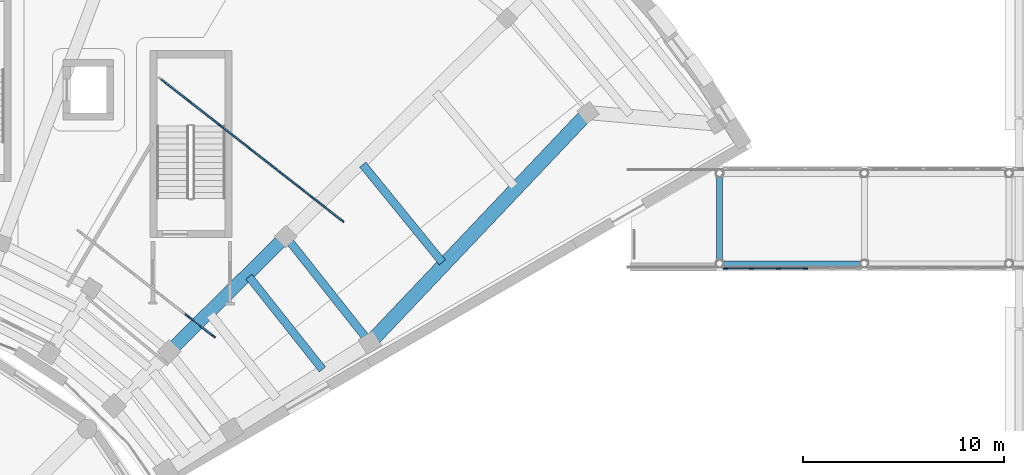
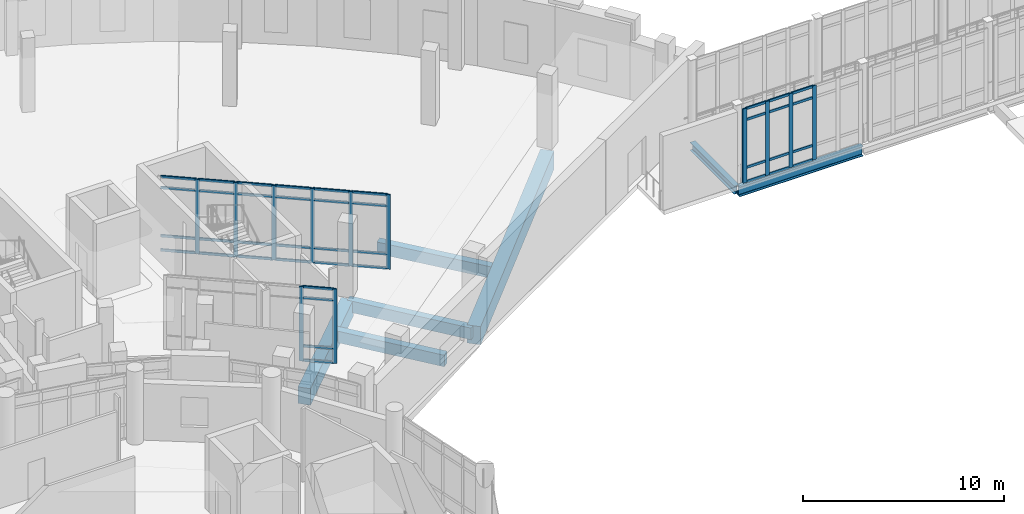
# One storey, part 25 of 75: 52 members, 7 beams, 3 elements without a shape of their own.
"""IFC4 building model written with IfcOpenShell, lengths in metres."""

from ifc_helpers import new_model, si_unit, direction, frame, origin, origin_2d, place, context, subcontext, project, spatial, rectangle, i_section, extrude, material, material_profile, profile_set, type_object, element, aggregate, save


model = new_model("IFC4")

# Units and contexts
model_context = context("Model", 3, precision=1e-05, world=origin(), true_north=direction((0.0, 1.0)))
body_context = subcontext(model_context, "Body", "Model", "MODEL_VIEW")
ifc_project = project(units=[si_unit("LENGTHUNIT", "METRE"), si_unit("AREAUNIT", "SQUARE_METRE"), si_unit("VOLUMEUNIT", "CUBIC_METRE"), si_unit("PLANEANGLEUNIT", "RADIAN"), si_unit("MASSUNIT", "GRAM", prefix="KILO")], contexts=[model_context])

# Site, building, storey
site_placement = place(None, origin())
site = spatial("IfcSite", under=ifc_project, at=site_placement, CompositionType="ELEMENT")
building_placement = place(site_placement, origin())
building = spatial("IfcBuilding", under=site, at=building_placement, Name="Soyqirgoq Riverine Aquarium", CompositionType="ELEMENT")
storey_placement = place(building_placement, frame((0.0, 0.0, 10.199951171875)))
storey = spatial("IfcBuildingStorey", under=building, at=storey_placement, Name="L03", CompositionType="ELEMENT", Elevation=10.199951171875)

# Beams
ifc_material_1 = material(Name="Concrete C40/50", Category="concrete")
ifc_material_profile_1 = material_profile(ifc_material_1, rectangle(XDim=0.39990234375, YDim=0.699951171875, at=origin_2d()), Name="RC 400x700")
ifc_profile_set_1 = profile_set([ifc_material_profile_1], Name="Concrete C40/50")
beam_type_1 = type_object("IfcBeamType", Name="Beam_RC_400x700", PredefinedType="BEAM", material=ifc_profile_set_1)
beam_1_placement = place(storey_placement, frame((80.038330078125, 72.30224609375, -0.64990234375), z_axis=(-0.621137956327, 0.783701243593, 0.0), x_axis=(-0.783701243593, -0.621137956327, 0.0)))
element("IfcBeam", 1, at=beam_1_placement, inside=storey, type_object=beam_type_1, Name="V5 L03 Secondary Floor Joist 0882", PredefinedType="BEAM", context=body_context, shape_type="SweptSolid", body=[
    extrude(rectangle(XDim=0.39990234375, YDim=0.699951171875, at=origin_2d()), origin(), (0.0, 0.0, 1.0), 5.878173828125),
])
beam_2_placement = place(storey_placement, frame((82.3701171875, 73.664794921875, -0.64990234375), z_axis=(-0.621132353324, 0.783705684332, 0.0), x_axis=(-0.783705684332, -0.621132353324, 0.0)))
element("IfcBeam", 2, at=beam_2_placement, inside=storey, type_object=beam_type_1, Name="V5 L03 Wedge Chord Beam 0883", PredefinedType="BEAM", context=body_context, shape_type="SweptSolid", body=[
    extrude(rectangle(XDim=0.39990234375, YDim=0.699951171875, at=origin_2d()), origin(), (0.0, 0.0, 1.0), 6.63916015625),
])
beam_3_placement = place(storey_placement, frame((86.00341796875, 77.626953125, -0.64990234375), z_axis=(-0.631614001709, 0.775283014676, 0.0), x_axis=(-0.775283014676, -0.631614001709, 0.0)))
element("IfcBeam", 3, at=beam_3_placement, inside=storey, type_object=beam_type_1, Name="V5 L03 Secondary Floor Joist 0884", PredefinedType="BEAM", context=body_context, shape_type="SweptSolid", body=[
    extrude(rectangle(XDim=0.39990234375, YDim=0.699951171875, at=origin_2d()), origin(), (0.0, 0.0, 1.0), 6.268798828125),
])

# Curtain wall, members
ifc_material_2 = material(Name="Laminated solar-control bridge curtain wall", Category="aluminium")
curtain_wall_type_1 = type_object("IfcCurtainWallType", Name="CW_Bridge_Concourse", PredefinedType="NOTDEFINED", material=ifc_material_2)
curtain_wall_1_placement = place(storey_placement, origin())
curtain_wall_1 = element("IfcCurtainWall", 4, at=curtain_wall_1_placement, inside=storey, type_object=curtain_wall_type_1, Name="BR-2 L03 Curtain Wall 141", PredefinedType="NOTDEFINED")
ifc_material_3 = material(Name="Anodised aluminium 6063-T6", Category="aluminium")
ifc_material_profile_2 = material_profile(ifc_material_3, rectangle(XDim=0.080078125, YDim=0.219970703125, at=origin_2d()), Name="ALU-M 80x220")
ifc_profile_set_2 = profile_set([ifc_material_profile_2], Name="Anodised aluminium 6063-T6")
member_type_1 = type_object("IfcMemberType", Name="CWMullion_80x220", PredefinedType="MULLION", material=ifc_profile_set_2)
member_1_placement = place(storey_placement, frame((100.080078125, 77.320068359375, 0.0), z_axis=(0.0, 0.0, 1.0), x_axis=(0.0, 1.0, 0.0)))
member_1 = element("IfcMember", 5, at=member_1_placement, type_object=member_type_1, Name="CW-06 mullion 1", PredefinedType="MULLION", context=body_context, shape_type="SweptSolid", body=[
    extrude(rectangle(XDim=0.080078125, YDim=0.219970703125, at=origin_2d()), origin(), (0.0, 0.0, 1.0), 4.5),
])
member_2_placement = place(storey_placement, frame((101.384033203125, 77.320068359375, 0.0), z_axis=(0.0, 0.0, 1.0), x_axis=(0.0, 1.0, 0.0)))
member_2 = element("IfcMember", 6, at=member_2_placement, type_object=member_type_1, Name="CW-06 mullion 2", PredefinedType="MULLION", context=body_context, shape_type="SweptSolid", body=[
    extrude(rectangle(XDim=0.080078125, YDim=0.219970703125, at=origin_2d()), origin(), (0.0, 0.0, 1.0), 4.5),
])
member_3_placement = place(storey_placement, frame((102.72802734375, 77.320068359375, 0.0), z_axis=(0.0, 0.0, 1.0), x_axis=(0.0, 1.0, 0.0)))
member_3 = element("IfcMember", 7, at=member_3_placement, type_object=member_type_1, Name="CW-06 mullion 3", PredefinedType="MULLION", context=body_context, shape_type="SweptSolid", body=[
    extrude(rectangle(XDim=0.080078125, YDim=0.219970703125, at=origin_2d()), origin(), (0.0, 0.0, 1.0), 4.5),
])
member_4_placement = place(storey_placement, frame((104.072021484375, 77.320068359375, 0.0), z_axis=(0.0, 0.0, 1.0), x_axis=(0.0, 1.0, 0.0)))
member_4 = element("IfcMember", 8, at=member_4_placement, type_object=member_type_1, Name="CW-06 mullion 4", PredefinedType="MULLION", context=body_context, shape_type="SweptSolid", body=[
    extrude(rectangle(XDim=0.080078125, YDim=0.219970703125, at=origin_2d()), origin(), (0.0, 0.0, 1.0), 4.5),
])

ifc_material_4 = material(Name="Cast polymethyl methacrylate PMMA Habitat Viewing Glazing", Category="glass")
curtain_wall_type_2 = type_object("IfcCurtainWallType", Name="CW_Interior_TankVitrine", PredefinedType="NOTDEFINED", material=ifc_material_4)
curtain_wall_2_placement = place(storey_placement, origin())
curtain_wall_2 = element("IfcCurtainWall", 9, at=curtain_wall_2_placement, inside=storey, type_object=curtain_wall_type_2, Name="V5 L03 Curtain Wall 161", PredefinedType="NOTDEFINED")
member_5_placement = place(storey_placement, frame((74.616943359375, 73.9482421875, 0.0), z_axis=(0.0, 0.0, 1.0), x_axis=(-0.615661060826, -0.788011077449, 0.0)))
member_5 = element("IfcMember", 10, at=member_5_placement, type_object=member_type_1, Name="CW-07 mullion 1", PredefinedType="MULLION", context=body_context, shape_type="SweptSolid", body=[
    extrude(rectangle(XDim=0.080078125, YDim=0.219970703125, at=origin_2d()), origin(), (0.0, 0.0, 1.0), 4.52001953125),
])
member_6_placement = place(storey_placement, frame((73.300537109375, 74.976806640625, 0.0), z_axis=(0.0, 0.0, 1.0), x_axis=(-0.615661060826, -0.788011077449, 0.0)))
member_6 = element("IfcMember", 11, at=member_6_placement, type_object=member_type_1, Name="CW-07 mullion 2", PredefinedType="MULLION", context=body_context, shape_type="SweptSolid", body=[
    extrude(rectangle(XDim=0.080078125, YDim=0.219970703125, at=origin_2d()), origin(), (0.0, 0.0, 1.0), 4.52001953125),
])

curtain_wall_3_placement = place(storey_placement, origin())
curtain_wall_3 = element("IfcCurtainWall", 12, at=curtain_wall_3_placement, inside=storey, type_object=curtain_wall_type_2, Name="V5 L03 Curtain Wall 162", PredefinedType="NOTDEFINED")
member_7_placement = place(storey_placement, frame((81.008056640625, 79.702880859375, 0.0), z_axis=(0.0, 0.0, 1.0), x_axis=(-0.615655141832, -0.788015701833, 0.0)))
member_7 = element("IfcMember", 13, at=member_7_placement, type_object=member_type_1, Name="CW-07 mullion 1", PredefinedType="MULLION", context=body_context, shape_type="SweptSolid", body=[
    extrude(rectangle(XDim=0.080078125, YDim=0.219970703125, at=origin_2d()), origin(), (0.0, 0.0, 1.0), 4.52001953125),
])
member_8_placement = place(storey_placement, frame((79.524169921875, 80.862060546875, 0.0), z_axis=(0.0, 0.0, 1.0), x_axis=(-0.615655141832, -0.788015701833, 0.0)))
member_8 = element("IfcMember", 14, at=member_8_placement, type_object=member_type_1, Name="CW-07 mullion 2", PredefinedType="MULLION", context=body_context, shape_type="SweptSolid", body=[
    extrude(rectangle(XDim=0.080078125, YDim=0.219970703125, at=origin_2d()), origin(), (0.0, 0.0, 1.0), 4.52001953125),
])
member_9_placement = place(storey_placement, frame((78.008544921875, 82.046142578125, 0.0), z_axis=(0.0, 0.0, 1.0), x_axis=(-0.615655141832, -0.788015701833, 0.0)))
member_9 = element("IfcMember", 15, at=member_9_placement, type_object=member_type_1, Name="CW-07 mullion 3", PredefinedType="MULLION", context=body_context, shape_type="SweptSolid", body=[
    extrude(rectangle(XDim=0.080078125, YDim=0.219970703125, at=origin_2d()), origin(), (0.0, 0.0, 1.0), 4.52001953125),
])
member_10_placement = place(storey_placement, frame((76.4931640625, 83.22998046875, 0.0), z_axis=(0.0, 0.0, 1.0), x_axis=(-0.615655141832, -0.788015701833, 0.0)))
member_10 = element("IfcMember", 16, at=member_10_placement, type_object=member_type_1, Name="CW-07 mullion 4", PredefinedType="MULLION", context=body_context, shape_type="SweptSolid", body=[
    extrude(rectangle(XDim=0.080078125, YDim=0.219970703125, at=origin_2d()), origin(), (0.0, 0.0, 1.0), 4.52001953125),
])
member_11_placement = place(storey_placement, frame((74.977783203125, 84.4140625, 0.0), z_axis=(0.0, 0.0, 1.0), x_axis=(-0.615655141832, -0.788015701833, 0.0)))
member_11 = element("IfcMember", 17, at=member_11_placement, type_object=member_type_1, Name="CW-07 mullion 5", PredefinedType="MULLION", context=body_context, shape_type="SweptSolid", body=[
    extrude(rectangle(XDim=0.080078125, YDim=0.219970703125, at=origin_2d()), origin(), (0.0, 0.0, 1.0), 4.52001953125),
])
member_12_placement = place(storey_placement, frame((73.46240234375, 85.59814453125, 0.0), z_axis=(0.0, 0.0, 1.0), x_axis=(-0.615655141832, -0.788015701833, 0.0)))
member_12 = element("IfcMember", 18, at=member_12_placement, type_object=member_type_1, Name="CW-07 mullion 6", PredefinedType="MULLION", context=body_context, shape_type="SweptSolid", body=[
    extrude(rectangle(XDim=0.080078125, YDim=0.219970703125, at=origin_2d()), origin(), (0.0, 0.0, 1.0), 4.52001953125),
])

# Member
ifc_material_5 = material(Name="Anodised aluminium 6063-T6", Category="aluminium")
ifc_material_profile_3 = material_profile(ifc_material_5, rectangle(XDim=0.074951171875, YDim=0.14990234375, at=origin_2d()), Name="ALU-T 75x150")
ifc_profile_set_3 = profile_set([ifc_material_profile_3], Name="Anodised aluminium 6063-T6")
member_type_2 = type_object("IfcMemberType", Name="CWTransom_75x150", PredefinedType="USERDEFINED", material=ifc_profile_set_3)
member_13_placement = place(storey_placement, frame((100.1201171875, 77.320068359375, 0.03759765625), z_axis=(1.0, 0.0, 0.0), x_axis=(0.0, 1.0, 0.0)))
member_13 = element("IfcMember", 19, at=member_13_placement, type_object=member_type_2, Name="CW-06 transom 1.1", ObjectType="TRANSOM", PredefinedType="USERDEFINED", context=body_context, shape_type="SweptSolid", body=[
    extrude(rectangle(XDim=0.074951171875, YDim=0.14990234375, at=origin_2d()), origin(), (0.0, 0.0, 1.0), 1.223876953125),
])

member_14_placement = place(storey_placement, frame((100.1201171875, 77.320068359375, 0.900146484375), z_axis=(1.0, 0.0, 0.0), x_axis=(0.0, 1.0, 0.0)))
member_14 = element("IfcMember", 20, at=member_14_placement, type_object=member_type_2, Name="CW-06 transom 1.2", ObjectType="TRANSOM", PredefinedType="USERDEFINED", context=body_context, shape_type="SweptSolid", body=[
    extrude(rectangle(XDim=0.074951171875, YDim=0.14990234375, at=origin_2d()), origin(), (0.0, 0.0, 1.0), 1.223876953125),
])

member_15_placement = place(storey_placement, frame((100.1201171875, 77.320068359375, 3.800048828125), z_axis=(1.0, 0.0, 0.0), x_axis=(0.0, 1.0, 0.0)))
member_15 = element("IfcMember", 21, at=member_15_placement, type_object=member_type_2, Name="CW-06 transom 1.3", ObjectType="TRANSOM", PredefinedType="USERDEFINED", context=body_context, shape_type="SweptSolid", body=[
    extrude(rectangle(XDim=0.074951171875, YDim=0.14990234375, at=origin_2d()), origin(), (0.0, 0.0, 1.0), 1.223876953125),
])

member_16_placement = place(storey_placement, frame((100.1201171875, 77.320068359375, 4.462646484375), z_axis=(1.0, 0.0, 0.0), x_axis=(0.0, 1.0, 0.0)))
member_16 = element("IfcMember", 22, at=member_16_placement, type_object=member_type_2, Name="CW-06 transom 1.4", ObjectType="TRANSOM", PredefinedType="USERDEFINED", context=body_context, shape_type="SweptSolid", body=[
    extrude(rectangle(XDim=0.074951171875, YDim=0.14990234375, at=origin_2d()), origin(), (0.0, 0.0, 1.0), 1.223876953125),
])

member_17_placement = place(storey_placement, frame((101.424072265625, 77.320068359375, 0.03759765625), z_axis=(1.0, 0.0, 0.0), x_axis=(0.0, 1.0, 0.0)))
member_17 = element("IfcMember", 23, at=member_17_placement, type_object=member_type_2, Name="CW-06 transom 2.1", ObjectType="TRANSOM", PredefinedType="USERDEFINED", context=body_context, shape_type="SweptSolid", body=[
    extrude(rectangle(XDim=0.074951171875, YDim=0.14990234375, at=origin_2d()), origin(), (0.0, 0.0, 1.0), 1.263916015625),
])

member_18_placement = place(storey_placement, frame((101.424072265625, 77.320068359375, 0.900146484375), z_axis=(1.0, 0.0, 0.0), x_axis=(0.0, 1.0, 0.0)))
member_18 = element("IfcMember", 24, at=member_18_placement, type_object=member_type_2, Name="CW-06 transom 2.2", ObjectType="TRANSOM", PredefinedType="USERDEFINED", context=body_context, shape_type="SweptSolid", body=[
    extrude(rectangle(XDim=0.074951171875, YDim=0.14990234375, at=origin_2d()), origin(), (0.0, 0.0, 1.0), 1.263916015625),
])

member_19_placement = place(storey_placement, frame((101.424072265625, 77.320068359375, 3.800048828125), z_axis=(1.0, 0.0, 0.0), x_axis=(0.0, 1.0, 0.0)))
member_19 = element("IfcMember", 25, at=member_19_placement, type_object=member_type_2, Name="CW-06 transom 2.3", ObjectType="TRANSOM", PredefinedType="USERDEFINED", context=body_context, shape_type="SweptSolid", body=[
    extrude(rectangle(XDim=0.074951171875, YDim=0.14990234375, at=origin_2d()), origin(), (0.0, 0.0, 1.0), 1.263916015625),
])

member_20_placement = place(storey_placement, frame((101.424072265625, 77.320068359375, 4.462646484375), z_axis=(1.0, 0.0, 0.0), x_axis=(0.0, 1.0, 0.0)))
member_20 = element("IfcMember", 26, at=member_20_placement, type_object=member_type_2, Name="CW-06 transom 2.4", ObjectType="TRANSOM", PredefinedType="USERDEFINED", context=body_context, shape_type="SweptSolid", body=[
    extrude(rectangle(XDim=0.074951171875, YDim=0.14990234375, at=origin_2d()), origin(), (0.0, 0.0, 1.0), 1.263916015625),
])

member_21_placement = place(storey_placement, frame((102.76806640625, 77.320068359375, 0.03759765625), z_axis=(1.0, 0.0, 0.0), x_axis=(0.0, 1.0, 0.0)))
member_21 = element("IfcMember", 27, at=member_21_placement, type_object=member_type_2, Name="CW-06 transom 3.1", ObjectType="TRANSOM", PredefinedType="USERDEFINED", context=body_context, shape_type="SweptSolid", body=[
    extrude(rectangle(XDim=0.074951171875, YDim=0.14990234375, at=origin_2d()), origin(), (0.0, 0.0, 1.0), 1.263916015625),
])

member_22_placement = place(storey_placement, frame((102.76806640625, 77.320068359375, 0.900146484375), z_axis=(1.0, 0.0, 0.0), x_axis=(0.0, 1.0, 0.0)))
member_22 = element("IfcMember", 28, at=member_22_placement, type_object=member_type_2, Name="CW-06 transom 3.2", ObjectType="TRANSOM", PredefinedType="USERDEFINED", context=body_context, shape_type="SweptSolid", body=[
    extrude(rectangle(XDim=0.074951171875, YDim=0.14990234375, at=origin_2d()), origin(), (0.0, 0.0, 1.0), 1.263916015625),
])

member_23_placement = place(storey_placement, frame((102.76806640625, 77.320068359375, 3.800048828125), z_axis=(1.0, 0.0, 0.0), x_axis=(0.0, 1.0, 0.0)))
member_23 = element("IfcMember", 29, at=member_23_placement, type_object=member_type_2, Name="CW-06 transom 3.3", ObjectType="TRANSOM", PredefinedType="USERDEFINED", context=body_context, shape_type="SweptSolid", body=[
    extrude(rectangle(XDim=0.074951171875, YDim=0.14990234375, at=origin_2d()), origin(), (0.0, 0.0, 1.0), 1.263916015625),
])

member_24_placement = place(storey_placement, frame((102.76806640625, 77.320068359375, 4.462646484375), z_axis=(1.0, 0.0, 0.0), x_axis=(0.0, 1.0, 0.0)))
member_24 = element("IfcMember", 30, at=member_24_placement, type_object=member_type_2, Name="CW-06 transom 3.4", ObjectType="TRANSOM", PredefinedType="USERDEFINED", context=body_context, shape_type="SweptSolid", body=[
    extrude(rectangle(XDim=0.074951171875, YDim=0.14990234375, at=origin_2d()), origin(), (0.0, 0.0, 1.0), 1.263916015625),
])

aggregate(curtain_wall_1, [member_1, member_2, member_3, member_4, member_13, member_14, member_15, member_16, member_17, member_18, member_19, member_20, member_21, member_22, member_23, member_24])

member_25_placement = place(storey_placement, frame((74.58544921875, 73.972900390625, 0.03759765625), z_axis=(-0.788019719657, 0.615649999132, 0.0), x_axis=(-0.615649999132, -0.788019719657, 0.0)))
member_25 = element("IfcMember", 31, at=member_25_placement, type_object=member_type_2, Name="CW-07 transom 1.1", ObjectType="TRANSOM", PredefinedType="USERDEFINED", context=body_context, shape_type="SweptSolid", body=[
    extrude(rectangle(XDim=0.074951171875, YDim=0.14990234375, at=origin_2d()), origin(), (0.0, 0.0, 1.0), 1.590576171875),
])

member_26_placement = place(storey_placement, frame((74.58544921875, 73.972900390625, 0.900146484375), z_axis=(-0.788019719657, 0.615649999132, 0.0), x_axis=(-0.615649999132, -0.788019719657, 0.0)))
member_26 = element("IfcMember", 32, at=member_26_placement, type_object=member_type_2, Name="CW-07 transom 1.2", ObjectType="TRANSOM", PredefinedType="USERDEFINED", context=body_context, shape_type="SweptSolid", body=[
    extrude(rectangle(XDim=0.074951171875, YDim=0.14990234375, at=origin_2d()), origin(), (0.0, 0.0, 1.0), 1.590576171875),
])

member_27_placement = place(storey_placement, frame((74.58544921875, 73.972900390625, 3.820068359375), z_axis=(-0.788019719657, 0.615649999132, 0.0), x_axis=(-0.615649999132, -0.788019719657, 0.0)))
member_27 = element("IfcMember", 33, at=member_27_placement, type_object=member_type_2, Name="CW-07 transom 1.3", ObjectType="TRANSOM", PredefinedType="USERDEFINED", context=body_context, shape_type="SweptSolid", body=[
    extrude(rectangle(XDim=0.074951171875, YDim=0.14990234375, at=origin_2d()), origin(), (0.0, 0.0, 1.0), 1.590576171875),
])

member_28_placement = place(storey_placement, frame((74.58544921875, 73.972900390625, 4.482666015625), z_axis=(-0.788019719657, 0.615649999132, 0.0), x_axis=(-0.615649999132, -0.788019719657, 0.0)))
member_28 = element("IfcMember", 34, at=member_28_placement, type_object=member_type_2, Name="CW-07 transom 1.4", ObjectType="TRANSOM", PredefinedType="USERDEFINED", context=body_context, shape_type="SweptSolid", body=[
    extrude(rectangle(XDim=0.074951171875, YDim=0.14990234375, at=origin_2d()), origin(), (0.0, 0.0, 1.0), 1.590576171875),
])

aggregate(curtain_wall_2, [member_5, member_6, member_25, member_26, member_27, member_28])

member_29_placement = place(storey_placement, frame((80.9765625, 79.7275390625, 0.03759765625), z_axis=(-0.788016162741, 0.615654551887, 0.0), x_axis=(-0.615654551887, -0.788016162741, 0.0)))
member_29 = element("IfcMember", 35, at=member_29_placement, type_object=member_type_2, Name="CW-07 transom 1.1", ObjectType="TRANSOM", PredefinedType="USERDEFINED", context=body_context, shape_type="SweptSolid", body=[
    extrude(rectangle(XDim=0.074951171875, YDim=0.14990234375, at=origin_2d()), origin(), (0.0, 0.0, 1.0), 1.80322265625),
])

member_30_placement = place(storey_placement, frame((80.9765625, 79.7275390625, 0.900146484375), z_axis=(-0.788016162741, 0.615654551887, 0.0), x_axis=(-0.615654551887, -0.788016162741, 0.0)))
member_30 = element("IfcMember", 36, at=member_30_placement, type_object=member_type_2, Name="CW-07 transom 1.2", ObjectType="TRANSOM", PredefinedType="USERDEFINED", context=body_context, shape_type="SweptSolid", body=[
    extrude(rectangle(XDim=0.074951171875, YDim=0.14990234375, at=origin_2d()), origin(), (0.0, 0.0, 1.0), 1.80322265625),
])

member_31_placement = place(storey_placement, frame((80.9765625, 79.7275390625, 3.820068359375), z_axis=(-0.788016162741, 0.615654551887, 0.0), x_axis=(-0.615654551887, -0.788016162741, 0.0)))
member_31 = element("IfcMember", 37, at=member_31_placement, type_object=member_type_2, Name="CW-07 transom 1.3", ObjectType="TRANSOM", PredefinedType="USERDEFINED", context=body_context, shape_type="SweptSolid", body=[
    extrude(rectangle(XDim=0.074951171875, YDim=0.14990234375, at=origin_2d()), origin(), (0.0, 0.0, 1.0), 1.80322265625),
])

member_32_placement = place(storey_placement, frame((80.9765625, 79.7275390625, 4.482666015625), z_axis=(-0.788016162741, 0.615654551887, 0.0), x_axis=(-0.615654551887, -0.788016162741, 0.0)))
member_32 = element("IfcMember", 38, at=member_32_placement, type_object=member_type_2, Name="CW-07 transom 1.4", ObjectType="TRANSOM", PredefinedType="USERDEFINED", context=body_context, shape_type="SweptSolid", body=[
    extrude(rectangle(XDim=0.074951171875, YDim=0.14990234375, at=origin_2d()), origin(), (0.0, 0.0, 1.0), 1.80322265625),
])

member_33_placement = place(storey_placement, frame((79.492431640625, 80.88671875, 0.03759765625), z_axis=(-0.788002283226, 0.615672316765, 0.0), x_axis=(-0.615672316765, -0.788002283226, 0.0)))
member_33 = element("IfcMember", 39, at=member_33_placement, type_object=member_type_2, Name="CW-07 transom 2.1", ObjectType="TRANSOM", PredefinedType="USERDEFINED", context=body_context, shape_type="SweptSolid", body=[
    extrude(rectangle(XDim=0.074951171875, YDim=0.14990234375, at=origin_2d()), origin(), (0.0, 0.0, 1.0), 1.843017578125),
])

member_34_placement = place(storey_placement, frame((79.492431640625, 80.88671875, 0.900146484375), z_axis=(-0.788002283226, 0.615672316765, 0.0), x_axis=(-0.615672316765, -0.788002283226, 0.0)))
member_34 = element("IfcMember", 40, at=member_34_placement, type_object=member_type_2, Name="CW-07 transom 2.2", ObjectType="TRANSOM", PredefinedType="USERDEFINED", context=body_context, shape_type="SweptSolid", body=[
    extrude(rectangle(XDim=0.074951171875, YDim=0.14990234375, at=origin_2d()), origin(), (0.0, 0.0, 1.0), 1.843017578125),
])

member_35_placement = place(storey_placement, frame((79.492431640625, 80.88671875, 3.820068359375), z_axis=(-0.788002283226, 0.615672316765, 0.0), x_axis=(-0.615672316765, -0.788002283226, 0.0)))
member_35 = element("IfcMember", 41, at=member_35_placement, type_object=member_type_2, Name="CW-07 transom 2.3", ObjectType="TRANSOM", PredefinedType="USERDEFINED", context=body_context, shape_type="SweptSolid", body=[
    extrude(rectangle(XDim=0.074951171875, YDim=0.14990234375, at=origin_2d()), origin(), (0.0, 0.0, 1.0), 1.843017578125),
])

member_36_placement = place(storey_placement, frame((79.492431640625, 80.88671875, 4.482666015625), z_axis=(-0.788002283226, 0.615672316765, 0.0), x_axis=(-0.615672316765, -0.788002283226, 0.0)))
member_36 = element("IfcMember", 42, at=member_36_placement, type_object=member_type_2, Name="CW-07 transom 2.4", ObjectType="TRANSOM", PredefinedType="USERDEFINED", context=body_context, shape_type="SweptSolid", body=[
    extrude(rectangle(XDim=0.074951171875, YDim=0.14990234375, at=origin_2d()), origin(), (0.0, 0.0, 1.0), 1.843017578125),
])

member_37_placement = place(storey_placement, frame((77.97705078125, 82.07080078125, 0.03759765625), z_axis=(-0.788002283226, 0.615672316765, 0.0), x_axis=(-0.615672316765, -0.788002283226, 0.0)))
member_37 = element("IfcMember", 43, at=member_37_placement, type_object=member_type_2, Name="CW-07 transom 3.1", ObjectType="TRANSOM", PredefinedType="USERDEFINED", context=body_context, shape_type="SweptSolid", body=[
    extrude(rectangle(XDim=0.074951171875, YDim=0.14990234375, at=origin_2d()), origin(), (0.0, 0.0, 1.0), 1.843017578125),
])

member_38_placement = place(storey_placement, frame((77.97705078125, 82.07080078125, 0.900146484375), z_axis=(-0.788002283226, 0.615672316765, 0.0), x_axis=(-0.615672316765, -0.788002283226, 0.0)))
member_38 = element("IfcMember", 44, at=member_38_placement, type_object=member_type_2, Name="CW-07 transom 3.2", ObjectType="TRANSOM", PredefinedType="USERDEFINED", context=body_context, shape_type="SweptSolid", body=[
    extrude(rectangle(XDim=0.074951171875, YDim=0.14990234375, at=origin_2d()), origin(), (0.0, 0.0, 1.0), 1.843017578125),
])

member_39_placement = place(storey_placement, frame((77.97705078125, 82.07080078125, 3.820068359375), z_axis=(-0.788002283226, 0.615672316765, 0.0), x_axis=(-0.615672316765, -0.788002283226, 0.0)))
member_39 = element("IfcMember", 45, at=member_39_placement, type_object=member_type_2, Name="CW-07 transom 3.3", ObjectType="TRANSOM", PredefinedType="USERDEFINED", context=body_context, shape_type="SweptSolid", body=[
    extrude(rectangle(XDim=0.074951171875, YDim=0.14990234375, at=origin_2d()), origin(), (0.0, 0.0, 1.0), 1.843017578125),
])

member_40_placement = place(storey_placement, frame((77.97705078125, 82.07080078125, 4.482666015625), z_axis=(-0.788002283226, 0.615672316765, 0.0), x_axis=(-0.615672316765, -0.788002283226, 0.0)))
member_40 = element("IfcMember", 46, at=member_40_placement, type_object=member_type_2, Name="CW-07 transom 3.4", ObjectType="TRANSOM", PredefinedType="USERDEFINED", context=body_context, shape_type="SweptSolid", body=[
    extrude(rectangle(XDim=0.074951171875, YDim=0.14990234375, at=origin_2d()), origin(), (0.0, 0.0, 1.0), 1.843017578125),
])

member_41_placement = place(storey_placement, frame((76.461669921875, 83.254638671875, 0.03759765625), z_axis=(-0.788002283226, 0.615672316765, 0.0), x_axis=(-0.615672316765, -0.788002283226, 0.0)))
member_41 = element("IfcMember", 47, at=member_41_placement, type_object=member_type_2, Name="CW-07 transom 4.1", ObjectType="TRANSOM", PredefinedType="USERDEFINED", context=body_context, shape_type="SweptSolid", body=[
    extrude(rectangle(XDim=0.074951171875, YDim=0.14990234375, at=origin_2d()), origin(), (0.0, 0.0, 1.0), 1.843017578125),
])

member_42_placement = place(storey_placement, frame((76.461669921875, 83.254638671875, 0.900146484375), z_axis=(-0.788002283226, 0.615672316765, 0.0), x_axis=(-0.615672316765, -0.788002283226, 0.0)))
member_42 = element("IfcMember", 48, at=member_42_placement, type_object=member_type_2, Name="CW-07 transom 4.2", ObjectType="TRANSOM", PredefinedType="USERDEFINED", context=body_context, shape_type="SweptSolid", body=[
    extrude(rectangle(XDim=0.074951171875, YDim=0.14990234375, at=origin_2d()), origin(), (0.0, 0.0, 1.0), 1.843017578125),
])

member_43_placement = place(storey_placement, frame((76.461669921875, 83.254638671875, 3.820068359375), z_axis=(-0.788002283226, 0.615672316765, 0.0), x_axis=(-0.615672316765, -0.788002283226, 0.0)))
member_43 = element("IfcMember", 49, at=member_43_placement, type_object=member_type_2, Name="CW-07 transom 4.3", ObjectType="TRANSOM", PredefinedType="USERDEFINED", context=body_context, shape_type="SweptSolid", body=[
    extrude(rectangle(XDim=0.074951171875, YDim=0.14990234375, at=origin_2d()), origin(), (0.0, 0.0, 1.0), 1.843017578125),
])

member_44_placement = place(storey_placement, frame((76.461669921875, 83.254638671875, 4.482666015625), z_axis=(-0.788002283226, 0.615672316765, 0.0), x_axis=(-0.615672316765, -0.788002283226, 0.0)))
member_44 = element("IfcMember", 50, at=member_44_placement, type_object=member_type_2, Name="CW-07 transom 4.4", ObjectType="TRANSOM", PredefinedType="USERDEFINED", context=body_context, shape_type="SweptSolid", body=[
    extrude(rectangle(XDim=0.074951171875, YDim=0.14990234375, at=origin_2d()), origin(), (0.0, 0.0, 1.0), 1.843017578125),
])

member_45_placement = place(storey_placement, frame((74.9462890625, 84.438720703125, 0.03759765625), z_axis=(-0.788002283226, 0.615672316765, 0.0), x_axis=(-0.615672316765, -0.788002283226, 0.0)))
member_45 = element("IfcMember", 51, at=member_45_placement, type_object=member_type_2, Name="CW-07 transom 5.1", ObjectType="TRANSOM", PredefinedType="USERDEFINED", context=body_context, shape_type="SweptSolid", body=[
    extrude(rectangle(XDim=0.074951171875, YDim=0.14990234375, at=origin_2d()), origin(), (0.0, 0.0, 1.0), 1.843017578125),
])

member_46_placement = place(storey_placement, frame((74.9462890625, 84.438720703125, 0.900146484375), z_axis=(-0.788002283226, 0.615672316765, 0.0), x_axis=(-0.615672316765, -0.788002283226, 0.0)))
member_46 = element("IfcMember", 52, at=member_46_placement, type_object=member_type_2, Name="CW-07 transom 5.2", ObjectType="TRANSOM", PredefinedType="USERDEFINED", context=body_context, shape_type="SweptSolid", body=[
    extrude(rectangle(XDim=0.074951171875, YDim=0.14990234375, at=origin_2d()), origin(), (0.0, 0.0, 1.0), 1.843017578125),
])

member_47_placement = place(storey_placement, frame((74.9462890625, 84.438720703125, 3.820068359375), z_axis=(-0.788002283226, 0.615672316765, 0.0), x_axis=(-0.615672316765, -0.788002283226, 0.0)))
member_47 = element("IfcMember", 53, at=member_47_placement, type_object=member_type_2, Name="CW-07 transom 5.3", ObjectType="TRANSOM", PredefinedType="USERDEFINED", context=body_context, shape_type="SweptSolid", body=[
    extrude(rectangle(XDim=0.074951171875, YDim=0.14990234375, at=origin_2d()), origin(), (0.0, 0.0, 1.0), 1.843017578125),
])

member_48_placement = place(storey_placement, frame((74.9462890625, 84.438720703125, 4.482666015625), z_axis=(-0.788002283226, 0.615672316765, 0.0), x_axis=(-0.615672316765, -0.788002283226, 0.0)))
member_48 = element("IfcMember", 54, at=member_48_placement, type_object=member_type_2, Name="CW-07 transom 5.4", ObjectType="TRANSOM", PredefinedType="USERDEFINED", context=body_context, shape_type="SweptSolid", body=[
    extrude(rectangle(XDim=0.074951171875, YDim=0.14990234375, at=origin_2d()), origin(), (0.0, 0.0, 1.0), 1.843017578125),
])

member_49_placement = place(storey_placement, frame((73.430908203125, 85.62255859375, 0.03759765625), z_axis=(-0.788016162741, 0.615654551887, 0.0), x_axis=(-0.615654551887, -0.788016162741, 0.0)))
member_49 = element("IfcMember", 55, at=member_49_placement, type_object=member_type_2, Name="CW-07 transom 6.1", ObjectType="TRANSOM", PredefinedType="USERDEFINED", context=body_context, shape_type="SweptSolid", body=[
    extrude(rectangle(XDim=0.074951171875, YDim=0.14990234375, at=origin_2d()), origin(), (0.0, 0.0, 1.0), 1.80322265625),
])

member_50_placement = place(storey_placement, frame((73.430908203125, 85.62255859375, 0.900146484375), z_axis=(-0.788016162741, 0.615654551887, 0.0), x_axis=(-0.615654551887, -0.788016162741, 0.0)))
member_50 = element("IfcMember", 56, at=member_50_placement, type_object=member_type_2, Name="CW-07 transom 6.2", ObjectType="TRANSOM", PredefinedType="USERDEFINED", context=body_context, shape_type="SweptSolid", body=[
    extrude(rectangle(XDim=0.074951171875, YDim=0.14990234375, at=origin_2d()), origin(), (0.0, 0.0, 1.0), 1.80322265625),
])

member_51_placement = place(storey_placement, frame((73.430908203125, 85.62255859375, 3.820068359375), z_axis=(-0.788016162741, 0.615654551887, 0.0), x_axis=(-0.615654551887, -0.788016162741, 0.0)))
member_51 = element("IfcMember", 57, at=member_51_placement, type_object=member_type_2, Name="CW-07 transom 6.3", ObjectType="TRANSOM", PredefinedType="USERDEFINED", context=body_context, shape_type="SweptSolid", body=[
    extrude(rectangle(XDim=0.074951171875, YDim=0.14990234375, at=origin_2d()), origin(), (0.0, 0.0, 1.0), 1.80322265625),
])

member_52_placement = place(storey_placement, frame((73.430908203125, 85.62255859375, 4.482666015625), z_axis=(-0.788016162741, 0.615654551887, 0.0), x_axis=(-0.615654551887, -0.788016162741, 0.0)))
member_52 = element("IfcMember", 58, at=member_52_placement, type_object=member_type_2, Name="CW-07 transom 6.4", ObjectType="TRANSOM", PredefinedType="USERDEFINED", context=body_context, shape_type="SweptSolid", body=[
    extrude(rectangle(XDim=0.074951171875, YDim=0.14990234375, at=origin_2d()), origin(), (0.0, 0.0, 1.0), 1.80322265625),
])

aggregate(curtain_wall_3, [member_7, member_8, member_9, member_10, member_11, member_12, member_29, member_30, member_31, member_32, member_33, member_34, member_35, member_36, member_37, member_38, member_39, member_40, member_41, member_42, member_43, member_44, member_45, member_46, member_47, member_48, member_49, member_50, member_51, member_52])

# Beams
ifc_material_6 = material(Name="Concrete C40/50", Category="concrete")
ifc_material_profile_4 = material_profile(ifc_material_6, rectangle(XDim=0.64990234375, YDim=1.0, at=origin_2d()), Name="RC 650x1000")
ifc_profile_set_4 = profile_set([ifc_material_profile_4], Name="Concrete C40/50")
beam_type_2 = type_object("IfcBeamType", Name="Girder_RC_650x1000", PredefinedType="BEAM", material=ifc_profile_set_4)
beam_4_placement = place(storey_placement, frame((72.44775390625, 73.2197265625, -0.800048828125), z_axis=(0.712032910535, 0.702146091861, 0.0), x_axis=(-0.702146091861, 0.712032910535, 0.0)))
element("IfcBeam", 59, at=beam_4_placement, inside=storey, type_object=beam_type_2, Name="V5 L03 Wedge Radial Girder 0855", PredefinedType="BEAM", context=body_context, shape_type="SweptSolid", body=[
    extrude(rectangle(XDim=0.64990234375, YDim=1.0, at=origin_2d()), origin(), (0.0, 0.0, 1.0), 8.050048828125),
])
ifc_material_7 = material(Name="Concrete C40/50", Category="concrete")
ifc_material_profile_5 = material_profile(ifc_material_7, rectangle(XDim=0.699951171875, YDim=1.10009765625, at=origin_2d()), Name="RC 700x1100")
ifc_profile_set_5 = profile_set([ifc_material_profile_5], Name="Concrete C40/50")
beam_type_3 = type_object("IfcBeamType", Name="Girder_RC_700x1100", PredefinedType="BEAM", material=ifc_profile_set_5)
beam_5_placement = place(storey_placement, frame((82.435546875, 73.662109375, -0.849853515625), z_axis=(0.688043937809, 0.725669028996, 0.0), x_axis=(-0.725669028996, 0.688043937809, 0.0)))
element("IfcBeam", 60, at=beam_5_placement, inside=storey, type_object=beam_type_3, Name="V5 L03 Wedge Radial Girder 0852", PredefinedType="BEAM", context=body_context, shape_type="SweptSolid", body=[
    extrude(rectangle(XDim=0.699951171875, YDim=1.10009765625, at=origin_2d()), origin(), (0.0, 0.0, 1.0), 15.6767578125),
])
ifc_material_8 = material(Name="Structural steel S355", Category="steel")
ifc_material_profile_6 = material_profile(ifc_material_8, i_section(OverallWidth=0.300048828125, OverallDepth=0.489990234375, WebThickness=0.011962890625, FlangeThickness=0.02294921875, FilletRadius=0.027099609375, at=origin_2d()), Name="HEA 500")
ifc_profile_set_6 = profile_set([ifc_material_profile_6], Name="Structural steel S355")
beam_type_4 = type_object("IfcBeamType", Name="SteelBeam_HEA500", PredefinedType="BEAM", material=ifc_profile_set_6)
beam_6_placement = place(storey_placement, frame((99.800048828125, 77.60009765625, -0.494873046875), z_axis=(0.0, 1.0, 0.0), x_axis=(-1.0, 0.0, 0.0)))
element("IfcBeam", 61, at=beam_6_placement, inside=storey, type_object=beam_type_4, Name="BR-2 L03 Bridge Cross Transom 1465", PredefinedType="BEAM", context=body_context, shape_type="SweptSolid", body=[
    extrude(i_section(OverallWidth=0.300048828125, OverallDepth=0.489990234375, WebThickness=0.011962890625, FlangeThickness=0.02294921875, FilletRadius=0.027099609375, at=origin_2d()), origin(), (0.0, 0.0, 1.0), 4.39990234375),
])
ifc_material_9 = material(Name="Structural steel S355", Category="steel")
ifc_material_profile_7 = material_profile(ifc_material_9, i_section(OverallWidth=0.300048828125, OverallDepth=0.60009765625, WebThickness=0.015380859375, FlangeThickness=0.030029296875, FilletRadius=0.027099609375, at=origin_2d()), Name="HEB 600")
ifc_profile_set_7 = profile_set([ifc_material_profile_7], Name="Structural steel S355")
beam_type_5 = type_object("IfcBeamType", Name="SteelGirder_HEB600", PredefinedType="BEAM", material=ifc_profile_set_7)
beam_7_placement = place(storey_placement, frame((99.85009765625, 77.550048828125, -0.550048828125), z_axis=(1.0, 0.0, 0.0), x_axis=(0.0, 1.0, 0.0)))
element("IfcBeam", 62, at=beam_7_placement, inside=storey, type_object=beam_type_5, Name="BR-2 L03 Bridge Deck Longitudinal Girder 1450", PredefinedType="BEAM", context=body_context, shape_type="SweptSolid", body=[
    extrude(i_section(OverallWidth=0.300048828125, OverallDepth=0.60009765625, WebThickness=0.015380859375, FlangeThickness=0.030029296875, FilletRadius=0.027099609375, at=origin_2d()), origin(), (0.0, 0.0, 1.0), 7.099853515625),
])

save(model, "model.ifc")
